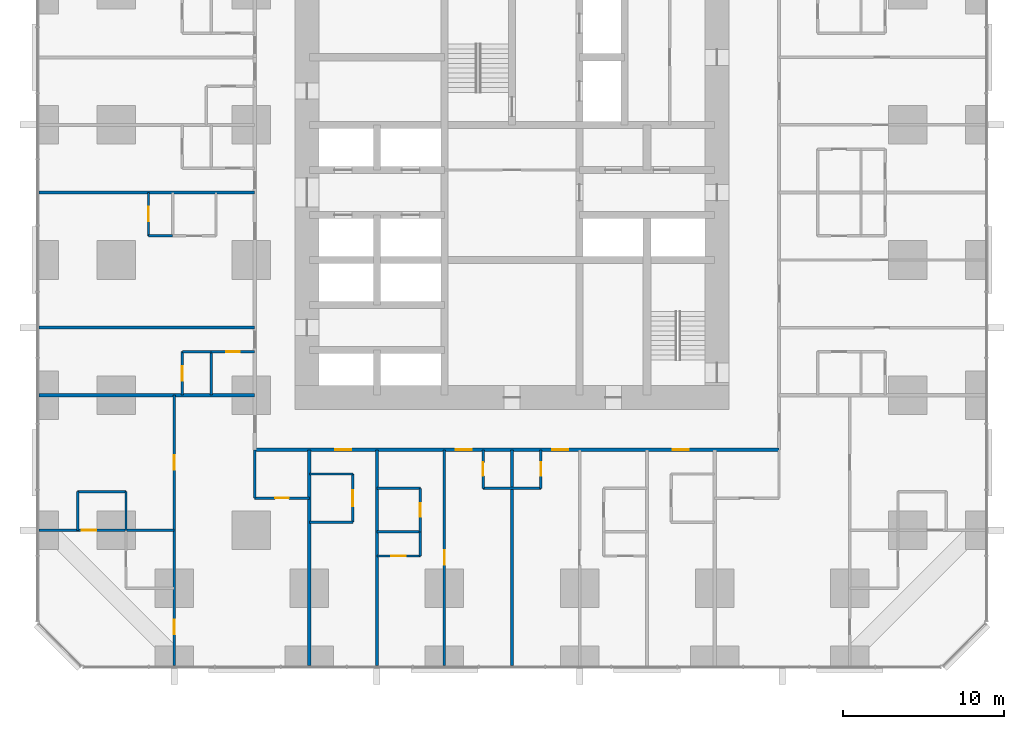
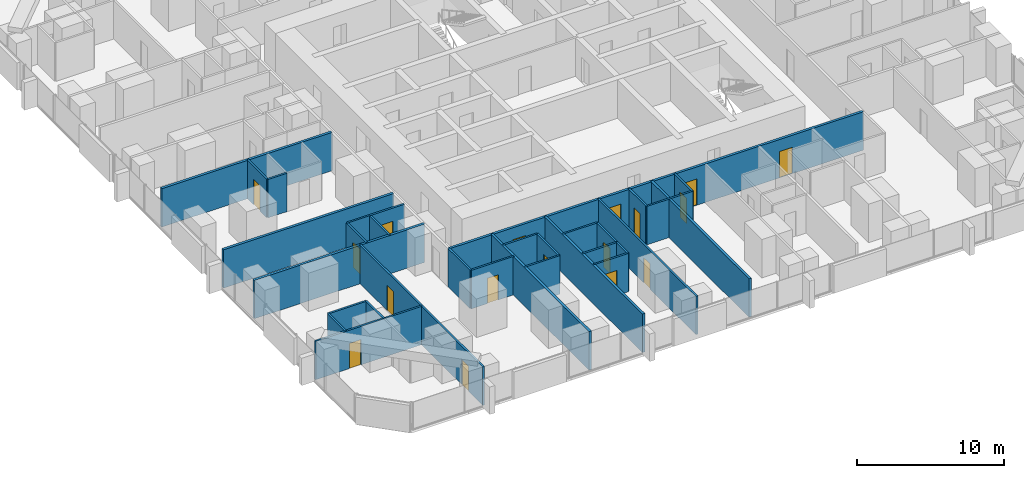
# One storey, part 10 of 16: 32 walls, 17 doors, 17 openings.
"""IFC4 building model written with IfcOpenShell, lengths in metres."""

from ifc_helpers import new_model, si_unit, direction, frame, frame_2d, origin, place, context, subcontext, project, spatial, rectangle, extrude, material, layer, layer_set, type_object, element, fill, save


model = new_model("IFC4")

# Units and contexts
model_context = context("Model", 3, precision=1e-05, world=origin(), true_north=direction((0.0, 1.0)))
body_context = subcontext(model_context, "Body", "Model", "MODEL_VIEW")
ifc_project = project(units=[si_unit("LENGTHUNIT", "METRE"), si_unit("AREAUNIT", "SQUARE_METRE"), si_unit("VOLUMEUNIT", "CUBIC_METRE"), si_unit("PLANEANGLEUNIT", "RADIAN"), si_unit("MASSUNIT", "GRAM", prefix="KILO")], contexts=[model_context])

# Site, building, storey
site_placement = place(None, origin())
site = spatial("IfcSite", under=ifc_project, at=site_placement, CompositionType="ELEMENT")
building_placement = place(site_placement, origin())
building = spatial("IfcBuilding", under=site, at=building_placement, Name="Dunama Terrace Hotel", CompositionType="ELEMENT")
storey_placement = place(building_placement, frame((0.0, 0.0, 84.60009765625)))
storey = spatial("IfcBuildingStorey", under=building, at=storey_placement, Name="L21", CompositionType="ELEMENT", Elevation=84.60009765625)

# Wall
ifc_material_1 = material(Name="Gypsum board partition", Category="masonry")
ifc_layer_1 = layer(ifc_material_1, 0.14990234375)
ifc_layer_set_1 = layer_set([ifc_layer_1], Name="Bathroom partition 150")
wall_type_1 = type_object("IfcWallType", Name="Bathroom partition 150", PredefinedType="PARTITIONING", material=ifc_layer_set_1)
wall_1_placement = place(storey_placement, frame((13.39990234375, 10.39990234375, 0.0), z_axis=(0.0, 0.0, 1.0), x_axis=(0.0, 1.0, 0.0)))
element("IfcWall", 1, at=wall_1_placement, inside=storey, type_object=wall_type_1, Name="Bathroom partition 150 L21", PredefinedType="PARTITIONING", context=body_context, shape_type="SweptSolid", body=[
    extrude(rectangle(XDim=3.0, YDim=0.14990234375, at=frame_2d((1.5, 0.0))), origin(), (0.0, 0.0, 1.0), 3.199951171875),
])

# Wall, opening, door
wall_2_placement = place(storey_placement, frame((19.5, 8.89990234375, 0.0), z_axis=(0.0, 0.0, 1.0), x_axis=(0.0, 1.0, 0.0)))
wall_2 = element("IfcWall", 2, at=wall_2_placement, inside=storey, type_object=wall_type_1, Name="Bathroom partition 150 L21", PredefinedType="PARTITIONING", context=body_context, shape_type="SweptSolid", body=[
    extrude(rectangle(XDim=3.0, YDim=0.14990234375, at=frame_2d((1.5, 0.0))), origin(), (0.0, 0.0, 1.0), 3.199951171875),
])
opening_1_placement = place(wall_2_placement, frame((1.0, 0.0, 0.0)))
opening_1 = element("IfcOpeningElement", 3, at=opening_1_placement, cuts=wall_2, Name="Opening L21-010", PredefinedType="OPENING", context=body_context, shape_type="SweptSolid", body=[
    extrude(rectangle(XDim=1.0, YDim=2.10009765625, at=frame_2d((0.5, 1.050048828125))), frame((0.0, 0.0849609375, 0.0), z_axis=(0.0, -1.0, 0.0), x_axis=(1.0, 0.0, 0.0)), (0.0, 0.0, 1.0), 0.169921875),
])
ifc_material_2 = material(Name="Timber door with steel frame", Category="steel")
door_type_1 = type_object("IfcDoorType", Name="Accessible room door 1000", OperationType="SINGLE_SWING_LEFT", PredefinedType="DOOR", material=ifc_material_2)
door_1_placement = place(opening_1_placement, origin())
door_1 = element("IfcDoor", 4, at=door_1_placement, inside=storey, type_object=door_type_1, Name="Door to accessible en-suite bathroom L21-010, type D17", OperationType="SINGLE_SWING_LEFT", OverallHeight=2.10009765625, OverallWidth=1.0, PredefinedType="DOOR", context=body_context, shape_type="SweptSolid", body=[
    extrude(rectangle(XDim=1.0, YDim=2.10009765625, at=frame_2d((0.5, 1.050048828125))), frame((0.0, 0.02490234375, 0.0), z_axis=(0.0, -1.0, 0.0), x_axis=(1.0, 0.0, 0.0)), (0.0, 0.0, 1.0), 0.050048828125),
])
fill(opening_1, door_1)

wall_3_placement = place(storey_placement, frame((23.699951171875, 8.300048828125, 0.0), z_axis=(0.0, 0.0, 1.0), x_axis=(0.0, 1.0, 0.0)))
wall_3 = element("IfcWall", 5, at=wall_3_placement, inside=storey, type_object=wall_type_1, Name="Bathroom partition 150 L21", PredefinedType="PARTITIONING", context=body_context, shape_type="SweptSolid", body=[
    extrude(rectangle(XDim=2.699951171875, YDim=0.14990234375, at=frame_2d((1.35009765625, 0.0))), origin(), (0.0, 0.0, 1.0), 3.199951171875),
])
opening_2_placement = place(wall_3_placement, frame((0.925048828125, 0.0, 0.0)))
opening_2 = element("IfcOpeningElement", 6, at=opening_2_placement, cuts=wall_3, Name="Opening L21-014", PredefinedType="OPENING", context=body_context, shape_type="SweptSolid", body=[
    extrude(rectangle(XDim=0.85009765625, YDim=2.10009765625, at=frame_2d((0.425048828125, 1.050048828125))), frame((0.0, 0.0849609375, 0.0), z_axis=(0.0, -1.0, 0.0), x_axis=(1.0, 0.0, 0.0)), (0.0, 0.0, 1.0), 0.169921875),
])
ifc_material_3 = material(Name="Timber door with steel frame", Category="steel")
door_type_2 = type_object("IfcDoorType", Name="Bathroom door 850", OperationType="SINGLE_SWING_LEFT", PredefinedType="DOOR", material=ifc_material_3)
door_2_placement = place(opening_2_placement, origin())
door_2 = element("IfcDoor", 7, at=door_2_placement, inside=storey, type_object=door_type_2, Name="Door to en-suite bathroom L21-014, type D2", OperationType="SINGLE_SWING_RIGHT", OverallHeight=2.10009765625, OverallWidth=0.85009765625, PredefinedType="DOOR", context=body_context, shape_type="SweptSolid", body=[
    extrude(rectangle(XDim=0.85009765625, YDim=2.10009765625, at=frame_2d((0.425048828125, 1.050048828125))), frame((0.0, 0.02490234375, 0.0), z_axis=(0.0, -1.0, 0.0), x_axis=(1.0, 0.0, 0.0)), (0.0, 0.0, 1.0), 0.050048828125),
])
fill(opening_2, door_2)

wall_4_placement = place(storey_placement, frame((27.60009765625, 11.0, 0.0), z_axis=(0.0, 0.0, 1.0), x_axis=(0.0, 1.0, 0.0)))
wall_4 = element("IfcWall", 8, at=wall_4_placement, inside=storey, type_object=wall_type_1, Name="Bathroom partition 150 L21", PredefinedType="PARTITIONING", context=body_context, shape_type="SweptSolid", body=[
    extrude(rectangle(XDim=2.39990234375, YDim=0.14990234375, at=frame_2d((1.199951171875, 0.0))), origin(), (0.0, 0.0, 1.0), 3.199951171875),
])
opening_3_placement = place(wall_4_placement, frame((0.77490234375, 0.0, 0.0)))
opening_3 = element("IfcOpeningElement", 9, at=opening_3_placement, cuts=wall_4, Name="Opening L21-012", PredefinedType="OPENING", context=body_context, shape_type="SweptSolid", body=[
    extrude(rectangle(XDim=0.85009765625, YDim=2.10009765625, at=frame_2d((0.425048828125, 1.050048828125))), frame((0.0, 0.0849609375, 0.0), z_axis=(0.0, -1.0, 0.0), x_axis=(1.0, 0.0, 0.0)), (0.0, 0.0, 1.0), 0.169921875),
])
door_3_placement = place(opening_3_placement, frame((0.85009765625, 0.0, 0.0), z_axis=(0.0, 0.0, 1.0), x_axis=(-1.0, 0.0, 0.0)))
door_3 = element("IfcDoor", 10, at=door_3_placement, inside=storey, type_object=door_type_2, Name="Door to powder room L21-012, type D2", OperationType="SINGLE_SWING_LEFT", OverallHeight=2.10009765625, OverallWidth=0.85009765625, PredefinedType="DOOR", context=body_context, shape_type="SweptSolid", body=[
    extrude(rectangle(XDim=0.85009765625, YDim=2.10009765625, at=frame_2d((0.425048828125, 1.050048828125))), frame((0.0, 0.025146484375, 0.0), z_axis=(0.0, -1.0, 0.0), x_axis=(1.0, 0.0, 0.0)), (0.0, 0.0, 1.0), 0.050048828125),
])
fill(opening_3, door_3)

wall_5_placement = place(storey_placement, frame((31.199951171875, 11.0, 0.0), z_axis=(0.0, 0.0, 1.0), x_axis=(0.0, 1.0, 0.0)))
wall_5 = element("IfcWall", 11, at=wall_5_placement, inside=storey, type_object=wall_type_1, Name="Bathroom partition 150 L21", PredefinedType="PARTITIONING", context=body_context, shape_type="SweptSolid", body=[
    extrude(rectangle(XDim=2.39990234375, YDim=0.14990234375, at=frame_2d((1.199951171875, 0.0))), origin(), (0.0, 0.0, 1.0), 3.199951171875),
])
opening_4_placement = place(wall_5_placement, frame((0.77490234375, 0.0, 0.0)))
opening_4 = element("IfcOpeningElement", 12, at=opening_4_placement, cuts=wall_5, Name="Opening L21-017", PredefinedType="OPENING", context=body_context, shape_type="SweptSolid", body=[
    extrude(rectangle(XDim=0.85009765625, YDim=2.10009765625, at=frame_2d((0.425048828125, 1.050048828125))), frame((0.0, 0.0849609375, 0.0), z_axis=(0.0, -1.0, 0.0), x_axis=(1.0, 0.0, 0.0)), (0.0, 0.0, 1.0), 0.169921875),
])
door_4_placement = place(opening_4_placement, origin())
door_4 = element("IfcDoor", 13, at=door_4_placement, inside=storey, type_object=door_type_2, Name="Door to powder room L21-017, type D2", OperationType="SINGLE_SWING_RIGHT", OverallHeight=2.10009765625, OverallWidth=0.85009765625, PredefinedType="DOOR", context=body_context, shape_type="SweptSolid", body=[
    extrude(rectangle(XDim=0.85009765625, YDim=2.10009765625, at=frame_2d((0.425048828125, 1.050048828125))), frame((0.0, 0.02490234375, 0.0), z_axis=(0.0, -1.0, 0.0), x_axis=(1.0, 0.0, 0.0)), (0.0, 0.0, 1.0), 0.050048828125),
])
fill(opening_4, door_4)

# Wall
wall_6_placement = place(storey_placement, frame((16.800048828125, 8.89990234375, 0.0), z_axis=(0.0, 0.0, 1.0), x_axis=(1.0, 0.0, 0.0)))
element("IfcWall", 14, at=wall_6_placement, inside=storey, type_object=wall_type_1, Name="Bathroom partition 150 L21", PredefinedType="PARTITIONING", context=body_context, shape_type="SweptSolid", body=[
    extrude(rectangle(XDim=2.699951171875, YDim=0.14990234375, at=frame_2d((1.35009765625, 0.0))), origin(), (0.0, 0.0, 1.0), 3.199951171875),
])

# Wall, opening, door
wall_7_placement = place(storey_placement, frame((13.39990234375, 10.39990234375, 0.0), z_axis=(0.0, 0.0, 1.0), x_axis=(1.0, 0.0, 0.0)))
wall_7 = element("IfcWall", 15, at=wall_7_placement, inside=storey, type_object=wall_type_1, Name="Bathroom partition 150 L21", PredefinedType="PARTITIONING", context=body_context, shape_type="SweptSolid", body=[
    extrude(rectangle(XDim=3.400146484375, YDim=0.14990234375, at=frame_2d((1.7001953125, 0.0))), origin(), (0.0, 0.0, 1.0), 3.199951171875),
])
opening_5_placement = place(wall_7_placement, frame((1.27490234375, 0.0, 0.0)))
opening_5 = element("IfcOpeningElement", 16, at=opening_5_placement, cuts=wall_7, Name="Opening L21-061", PredefinedType="OPENING", context=body_context, shape_type="SweptSolid", body=[
    extrude(rectangle(XDim=0.85009765625, YDim=2.10009765625, at=frame_2d((0.425048828125, 1.050048828125))), frame((0.0, 0.0849609375, 0.0), z_axis=(0.0, -1.0, 0.0), x_axis=(1.0, 0.0, 0.0)), (0.0, 0.0, 1.0), 0.169921875),
])
door_5_placement = place(opening_5_placement, origin())
door_5 = element("IfcDoor", 17, at=door_5_placement, inside=storey, type_object=door_type_2, Name="Door to powder room L21-061, type D2", OperationType="SINGLE_SWING_LEFT", OverallHeight=2.10009765625, OverallWidth=0.85009765625, PredefinedType="DOOR", context=body_context, shape_type="SweptSolid", body=[
    extrude(rectangle(XDim=0.85009765625, YDim=2.10009765625, at=frame_2d((0.425048828125, 1.050048828125))), frame((0.0, 0.02490234375, 0.0), z_axis=(0.0, -1.0, 0.0), x_axis=(1.0, 0.0, 0.0)), (0.0, 0.0, 1.0), 0.050048828125),
])
fill(opening_5, door_5)

# Walls
wall_8_placement = place(storey_placement, frame((21.0, 11.0, 0.0), z_axis=(0.0, 0.0, 1.0), x_axis=(1.0, 0.0, 0.0)))
element("IfcWall", 18, at=wall_8_placement, inside=storey, type_object=wall_type_1, Name="Bathroom partition 150 L21", PredefinedType="PARTITIONING", context=body_context, shape_type="SweptSolid", body=[
    extrude(rectangle(XDim=2.699951171875, YDim=0.14990234375, at=frame_2d((1.35009765625, 0.0))), origin(), (0.0, 0.0, 1.0), 3.199951171875),
])
wall_9_placement = place(storey_placement, frame((27.60009765625, 11.0, 0.0), z_axis=(0.0, 0.0, 1.0), x_axis=(1.0, 0.0, 0.0)))
element("IfcWall", 19, at=wall_9_placement, inside=storey, type_object=wall_type_1, Name="Bathroom partition 150 L21", PredefinedType="PARTITIONING", context=body_context, shape_type="SweptSolid", body=[
    extrude(rectangle(XDim=3.599853515625, YDim=0.14990234375, at=frame_2d((1.7998046875, 0.0))), origin(), (0.0, 0.0, 1.0), 3.199951171875),
])
wall_10_placement = place(storey_placement, frame((16.800048828125, 11.89990234375, 0.0), z_axis=(0.0, 0.0, 1.0), x_axis=(1.0, 0.0, 0.0)))
element("IfcWall", 20, at=wall_10_placement, inside=storey, type_object=wall_type_1, Name="Bathroom partition 150 L21", PredefinedType="PARTITIONING", context=body_context, shape_type="SweptSolid", body=[
    extrude(rectangle(XDim=2.699951171875, YDim=0.14990234375, at=frame_2d((1.35009765625, 0.0))), origin(), (0.0, 0.0, 1.0), 3.199951171875),
])

# Wall, opening, door
wall_11_placement = place(storey_placement, frame((10.699951171875, 19.5, 0.0), z_axis=(0.0, 0.0, 1.0), x_axis=(1.0, 0.0, 0.0)))
wall_11 = element("IfcWall", 21, at=wall_11_placement, inside=storey, type_object=wall_type_1, Name="Bathroom partition 150 L21", PredefinedType="PARTITIONING", context=body_context, shape_type="SweptSolid", body=[
    extrude(rectangle(XDim=2.699951171875, YDim=0.14990234375, at=frame_2d((1.35009765625, 0.0))), origin(), (0.0, 0.0, 1.0), 3.199951171875),
])
opening_6_placement = place(wall_11_placement, frame((0.925048828125, 0.0, 0.0)))
opening_6 = element("IfcOpeningElement", 22, at=opening_6_placement, cuts=wall_11, Name="Opening L21-047", PredefinedType="OPENING", context=body_context, shape_type="SweptSolid", body=[
    extrude(rectangle(XDim=0.85009765625, YDim=2.10009765625, at=frame_2d((0.425048828125, 1.050048828125))), frame((0.0, 0.0849609375, 0.0), z_axis=(0.0, -1.0, 0.0), x_axis=(1.0, 0.0, 0.0)), (0.0, 0.0, 1.0), 0.169921875),
])
door_6_placement = place(opening_6_placement, frame((0.85009765625, 0.0, 0.0), z_axis=(0.0, 0.0, 1.0), x_axis=(-1.0, 0.0, 0.0)))
door_6 = element("IfcDoor", 23, at=door_6_placement, inside=storey, type_object=door_type_2, Name="Door to en-suite bathroom L21-047, type D2", OperationType="SINGLE_SWING_LEFT", OverallHeight=2.10009765625, OverallWidth=0.85009765625, PredefinedType="DOOR", context=body_context, shape_type="SweptSolid", body=[
    extrude(rectangle(XDim=0.85009765625, YDim=2.10009765625, at=frame_2d((0.425048828125, 1.050048828125))), frame((0.0, 0.025146484375, 0.0), z_axis=(0.0, -1.0, 0.0), x_axis=(1.0, 0.0, 0.0)), (0.0, 0.0, 1.0), 0.050048828125),
])
fill(opening_6, door_6)

# Wall, openings, doors
ifc_material_4 = material(Name="Concrete blockwork", Category="masonry")
ifc_layer_2 = layer(ifc_material_4, 0.199951171875)
ifc_layer_set_2 = layer_set([ifc_layer_2], Name="Corridor partition 200")
wall_type_2 = type_object("IfcWallType", Name="Corridor partition 200", PredefinedType="PARTITIONING", material=ifc_layer_set_2)
wall_12_placement = place(storey_placement, frame((46.0, 13.39990234375, 0.0), z_axis=(0.0, 0.0, 1.0), x_axis=(-1.0, 0.0, 0.0)))
wall_12 = element("IfcWall", 24, at=wall_12_placement, inside=storey, type_object=wall_type_2, Name="Corridor partition 200 L21", PredefinedType="PARTITIONING", context=body_context, shape_type="SweptSolid", body=[
    extrude(rectangle(XDim=32.60009765625, YDim=0.199951171875, at=frame_2d((16.300048828125, 0.0))), origin(), (0.0, 0.0, 1.0), 3.199951171875),
])
opening_7_placement = place(wall_12_placement, frame((26.60009765625, 0.0, 0.0)))
opening_7 = element("IfcOpeningElement", 25, at=opening_7_placement, cuts=wall_12, Name="Opening L21-009", PredefinedType="OPENING", context=body_context, shape_type="SweptSolid", body=[
    extrude(rectangle(XDim=1.0, YDim=2.199951171875, at=frame_2d((0.5, 1.10009765625))), frame((0.0, 0.10986328125, 0.0), z_axis=(0.0, -1.0, 0.0), x_axis=(1.0, 0.0, 0.0)), (0.0, 0.0, 1.0), 0.219970703125),
])
opening_8_placement = place(wall_12_placement, frame((19.10009765625, 0.0, 0.0)))
opening_8 = element("IfcOpeningElement", 26, at=opening_8_placement, cuts=wall_12, Name="Opening L21-011", PredefinedType="OPENING", context=body_context, shape_type="SweptSolid", body=[
    extrude(rectangle(XDim=1.0, YDim=2.199951171875, at=frame_2d((0.5, 1.10009765625))), frame((0.0, 0.10986328125, 0.0), z_axis=(0.0, -1.0, 0.0), x_axis=(1.0, 0.0, 0.0)), (0.0, 0.0, 1.0), 0.219970703125),
])
opening_9_placement = place(wall_12_placement, frame((13.10009765625, 0.0, 0.0)))
opening_9 = element("IfcOpeningElement", 27, at=opening_9_placement, cuts=wall_12, Name="Opening L21-016", PredefinedType="OPENING", context=body_context, shape_type="SweptSolid", body=[
    extrude(rectangle(XDim=1.0, YDim=2.199951171875, at=frame_2d((0.5, 1.10009765625))), frame((0.0, 0.10986328125, 0.0), z_axis=(0.0, -1.0, 0.0), x_axis=(1.0, 0.0, 0.0)), (0.0, 0.0, 1.0), 0.219970703125),
])
opening_10_placement = place(wall_12_placement, frame((5.60009765625, 0.0, 0.0)))
opening_10 = element("IfcOpeningElement", 28, at=opening_10_placement, cuts=wall_12, Name="Opening L21-021", PredefinedType="OPENING", context=body_context, shape_type="SweptSolid", body=[
    extrude(rectangle(XDim=1.0, YDim=2.199951171875, at=frame_2d((0.5, 1.10009765625))), frame((0.0, 0.10986328125, 0.0), z_axis=(0.0, -1.0, 0.0), x_axis=(1.0, 0.0, 0.0)), (0.0, 0.0, 1.0), 0.219970703125),
])
ifc_material_5 = material(Name="Timber door with steel frame", Category="steel")
door_type_3 = type_object("IfcDoorType", Name="Guest room door 1000", OperationType="SINGLE_SWING_LEFT", PredefinedType="DOOR", material=ifc_material_5)
door_7_placement = place(opening_7_placement, origin())
door_7 = element("IfcDoor", 29, at=door_7_placement, inside=storey, type_object=door_type_3, Name="Door to accessible deluxe room L21-009, type D1", OperationType="SINGLE_SWING_LEFT", OverallHeight=2.199951171875, OverallWidth=1.0, PredefinedType="DOOR", context=body_context, shape_type="SweptSolid", body=[
    extrude(rectangle(XDim=1.0, YDim=2.199951171875, at=frame_2d((0.5, 1.10009765625))), frame((0.0, 0.02490234375, 0.0), z_axis=(0.0, -1.0, 0.0), x_axis=(1.0, 0.0, 0.0)), (0.0, 0.0, 1.0), 0.050048828125),
])
fill(opening_7, door_7)
door_8_placement = place(opening_8_placement, origin())
door_8 = element("IfcDoor", 30, at=door_8_placement, inside=storey, type_object=door_type_3, Name="Door to executive suite living room L21-011, type D1", OperationType="SINGLE_SWING_RIGHT", OverallHeight=2.199951171875, OverallWidth=1.0, PredefinedType="DOOR", context=body_context, shape_type="SweptSolid", body=[
    extrude(rectangle(XDim=1.0, YDim=2.199951171875, at=frame_2d((0.5, 1.10009765625))), frame((0.0, 0.02490234375, 0.0), z_axis=(0.0, -1.0, 0.0), x_axis=(1.0, 0.0, 0.0)), (0.0, 0.0, 1.0), 0.050048828125),
])
fill(opening_8, door_8)
door_9_placement = place(opening_9_placement, origin())
door_9 = element("IfcDoor", 31, at=door_9_placement, inside=storey, type_object=door_type_3, Name="Door to executive suite living room L21-016, type D1", OperationType="SINGLE_SWING_LEFT", OverallHeight=2.199951171875, OverallWidth=1.0, PredefinedType="DOOR", context=body_context, shape_type="SweptSolid", body=[
    extrude(rectangle(XDim=1.0, YDim=2.199951171875, at=frame_2d((0.5, 1.10009765625))), frame((0.0, 0.02490234375, 0.0), z_axis=(0.0, -1.0, 0.0), x_axis=(1.0, 0.0, 0.0)), (0.0, 0.0, 1.0), 0.050048828125),
])
fill(opening_9, door_9)
door_10_placement = place(opening_10_placement, origin())
door_10 = element("IfcDoor", 32, at=door_10_placement, inside=storey, type_object=door_type_3, Name="Door to accessible deluxe room L21-021, type D1", OperationType="SINGLE_SWING_LEFT", OverallHeight=2.199951171875, OverallWidth=1.0, PredefinedType="DOOR", context=body_context, shape_type="SweptSolid", body=[
    extrude(rectangle(XDim=1.0, YDim=2.199951171875, at=frame_2d((0.5, 1.10009765625))), frame((0.0, 0.02490234375, 0.0), z_axis=(0.0, -1.0, 0.0), x_axis=(1.0, 0.0, 0.0)), (0.0, 0.0, 1.0), 0.050048828125),
])
fill(opening_10, door_10)

# Walls
ifc_material_6 = material(Name="Concrete blockwork", Category="masonry")
ifc_layer_3 = layer(ifc_material_6, 0.199951171875)
ifc_layer_set_3 = layer_set([ifc_layer_3], Name="Party wall 200")
wall_type_3 = type_object("IfcWallType", Name="Party wall 200", PredefinedType="PARTITIONING", material=ifc_layer_set_3)
for number, where, z_axis, x_axis, name in (
    (33, (16.800048828125, -0.008056640625, 0.0), (0.0, 0.0, 1.0), (0.0, 1.0, 0.0), "Party wall 200 L21"),
    (34, (21.0, -0.008056640625, 0.0), (0.0, 0.0, 1.0), (0.0, 1.0, 0.0), "Party wall 200 L21"),
    (35, (29.39990234375, -0.008056640625, 0.0), (0.0, 0.0, 1.0), (0.0, 1.0, 0.0), "Party wall 200 L21"),
    (36, (-0.008056640625, 16.800048828125, 0.0), (0.0, 0.0, 1.0), (1.0, 0.0, 0.0), "Party wall 200 L21"),
    (37, (-0.008056640625, 21.0, 0.0), (0.0, 0.0, 1.0), (1.0, 0.0, 0.0), "Party wall 200 L21"),
    (38, (-0.008056640625, 29.39990234375, 0.0), (0.0, 0.0, 1.0), (1.0, 0.0, 0.0), "Party wall 200 L21"),
):
    element("IfcWall", number, at=place(storey_placement, frame(where, z_axis=z_axis, x_axis=x_axis)), inside=storey, type_object=wall_type_3, Name=name, PredefinedType="PARTITIONING", context=body_context, shape_type="SweptSolid", body=[
        extrude(rectangle(XDim=13.407958984375, YDim=0.199951171875, at=frame_2d((6.7041015625, 0.0))), origin(), (0.0, 0.0, 1.0), 3.199951171875),
    ])
ifc_material_7 = material(Name="Gypsum board partition", Category="masonry")
ifc_layer_4 = layer(ifc_material_7, 0.14990234375)
ifc_layer_set_4 = layer_set([ifc_layer_4], Name="Room partition 150")
wall_type_4 = type_object("IfcWallType", Name="Room partition 150", PredefinedType="PARTITIONING", material=ifc_layer_set_4)
for number, where, z_axis, x_axis, name in (
    (39, (2.39990234375, 8.39990234375, 0.0), (0.0, 0.0, 1.0), (0.0, 1.0, 0.0), "Room partition 150 L21"),
    (40, (5.39990234375, 8.39990234375, 0.0), (0.0, 0.0, 1.0), (0.0, 1.0, 0.0), "Room partition 150 L21"),
):
    element("IfcWall", number, at=place(storey_placement, frame(where, z_axis=z_axis, x_axis=x_axis)), inside=storey, type_object=wall_type_4, Name=name, PredefinedType="PARTITIONING", context=body_context, shape_type="SweptSolid", body=[
        extrude(rectangle(XDim=2.400146484375, YDim=0.14990234375, at=frame_2d((1.2001953125, 0.0))), origin(), (0.0, 0.0, 1.0), 3.199951171875),
    ])

# Wall, opening, door
wall_13_placement = place(storey_placement, frame((6.800048828125, 26.699951171875, 0.0), z_axis=(0.0, 0.0, 1.0), x_axis=(0.0, 1.0, 0.0)))
wall_13 = element("IfcWall", 41, at=wall_13_placement, inside=storey, type_object=wall_type_4, Name="Room partition 150 L21", PredefinedType="PARTITIONING", context=body_context, shape_type="SweptSolid", body=[
    extrude(rectangle(XDim=2.699951171875, YDim=0.14990234375, at=frame_2d((1.35009765625, 0.0))), origin(), (0.0, 0.0, 1.0), 3.199951171875),
])
opening_11_placement = place(wall_13_placement, frame((0.89990234375, 0.0, 0.0)))
opening_11 = element("IfcOpeningElement", 42, at=opening_11_placement, cuts=wall_13, Name="Opening L21-051", PredefinedType="OPENING", context=body_context, shape_type="SweptSolid", body=[
    extrude(rectangle(XDim=0.89990234375, YDim=2.10009765625, at=frame_2d((0.449951171875, 1.050048828125))), frame((0.0, 0.0849609375, 0.0), z_axis=(0.0, -1.0, 0.0), x_axis=(1.0, 0.0, 0.0)), (0.0, 0.0, 1.0), 0.169921875),
])
ifc_material_8 = material(Name="Timber door with steel frame", Category="steel")
door_type_4 = type_object("IfcDoorType", Name="Suite internal door 900", OperationType="SINGLE_SWING_LEFT", PredefinedType="DOOR", material=ifc_material_8)
door_11_placement = place(opening_11_placement, frame((0.89990234375, 0.0, 0.0), z_axis=(0.0, 0.0, 1.0), x_axis=(-1.0, 0.0, 0.0)))
door_11 = element("IfcDoor", 43, at=door_11_placement, inside=storey, type_object=door_type_4, Name="Door to walk-in wardrobe L21-051, type D16", OperationType="SINGLE_SWING_RIGHT", OverallHeight=2.10009765625, OverallWidth=0.89990234375, PredefinedType="DOOR", context=body_context, shape_type="SweptSolid", body=[
    extrude(rectangle(XDim=0.89990234375, YDim=2.10009765625, at=frame_2d((0.449951171875, 1.050048828125))), frame((0.0, 0.025146484375, 0.0), z_axis=(0.0, -1.0, 0.0), x_axis=(1.0, 0.0, 0.0)), (0.0, 0.0, 1.0), 0.050048828125),
])
fill(opening_11, door_11)

# Wall, openings, doors
wall_14_placement = place(storey_placement, frame((8.39990234375, -0.008056640625, 0.0), z_axis=(0.0, 0.0, 1.0), x_axis=(0.0, 1.0, 0.0)))
wall_14 = element("IfcWall", 44, at=wall_14_placement, inside=storey, type_object=wall_type_4, Name="Room partition 150 L21", PredefinedType="PARTITIONING", context=body_context, shape_type="SweptSolid", body=[
    extrude(rectangle(XDim=16.80810546875, YDim=0.14990234375, at=frame_2d((8.404052734375, 0.0))), origin(), (0.0, 0.0, 1.0), 3.199951171875),
])
opening_12_placement = place(wall_14_placement, frame((1.9580078125, 0.0, 0.0)))
opening_12 = element("IfcOpeningElement", 45, at=opening_12_placement, cuts=wall_14, Name="Opening L21-062", PredefinedType="OPENING", context=body_context, shape_type="SweptSolid", body=[
    extrude(rectangle(XDim=0.89990234375, YDim=2.10009765625, at=frame_2d((0.449951171875, 1.050048828125))), frame((0.0, 0.0849609375, 0.0), z_axis=(0.0, -1.0, 0.0), x_axis=(1.0, 0.0, 0.0)), (0.0, 0.0, 1.0), 0.169921875),
])
opening_13_placement = place(wall_14_placement, frame((12.157958984375, 0.0, 0.0)))
opening_13 = element("IfcOpeningElement", 46, at=opening_13_placement, cuts=wall_14, Name="Opening L21-065", PredefinedType="OPENING", context=body_context, shape_type="SweptSolid", body=[
    extrude(rectangle(XDim=0.89990234375, YDim=2.10009765625, at=frame_2d((0.449951171875, 1.050048828125))), frame((0.0, 0.0849609375, 0.0), z_axis=(0.0, -1.0, 0.0), x_axis=(1.0, 0.0, 0.0)), (0.0, 0.0, 1.0), 0.169921875),
])
door_12_placement = place(opening_12_placement, origin())
door_12 = element("IfcDoor", 47, at=door_12_placement, inside=storey, type_object=door_type_4, Name="Door to corner suite bedroom L21-062, type D16", OperationType="SINGLE_SWING_LEFT", OverallHeight=2.10009765625, OverallWidth=0.89990234375, PredefinedType="DOOR", context=body_context, shape_type="SweptSolid", body=[
    extrude(rectangle(XDim=0.89990234375, YDim=2.10009765625, at=frame_2d((0.449951171875, 1.050048828125))), frame((0.0, 0.02490234375, 0.0), z_axis=(0.0, -1.0, 0.0), x_axis=(1.0, 0.0, 0.0)), (0.0, 0.0, 1.0), 0.050048828125),
])
fill(opening_12, door_12)
door_13_placement = place(opening_13_placement, origin())
door_13 = element("IfcDoor", 48, at=door_13_placement, inside=storey, type_object=door_type_4, Name="Door to corner suite study L21-065, type D16", OperationType="SINGLE_SWING_LEFT", OverallHeight=2.10009765625, OverallWidth=0.89990234375, PredefinedType="DOOR", context=body_context, shape_type="SweptSolid", body=[
    extrude(rectangle(XDim=0.89990234375, YDim=2.10009765625, at=frame_2d((0.449951171875, 1.050048828125))), frame((0.0, 0.02490234375, 0.0), z_axis=(0.0, -1.0, 0.0), x_axis=(1.0, 0.0, 0.0)), (0.0, 0.0, 1.0), 0.050048828125),
])
fill(opening_13, door_13)

# Wall, opening, door
wall_15_placement = place(storey_placement, frame((8.89990234375, 16.800048828125, 0.0), z_axis=(0.0, 0.0, 1.0), x_axis=(0.0, 1.0, 0.0)))
wall_15 = element("IfcWall", 49, at=wall_15_placement, inside=storey, type_object=wall_type_4, Name="Room partition 150 L21", PredefinedType="PARTITIONING", context=body_context, shape_type="SweptSolid", body=[
    extrude(rectangle(XDim=2.699951171875, YDim=0.14990234375, at=frame_2d((1.35009765625, 0.0))), origin(), (0.0, 0.0, 1.0), 3.199951171875),
])
opening_14_placement = place(wall_15_placement, frame((0.89990234375, 0.0, 0.0)))
opening_14 = element("IfcOpeningElement", 50, at=opening_14_placement, cuts=wall_15, Name="Opening L21-048", PredefinedType="OPENING", context=body_context, shape_type="SweptSolid", body=[
    extrude(rectangle(XDim=0.89990234375, YDim=2.10009765625, at=frame_2d((0.449951171875, 1.050048828125))), frame((0.0, 0.0849609375, 0.0), z_axis=(0.0, -1.0, 0.0), x_axis=(1.0, 0.0, 0.0)), (0.0, 0.0, 1.0), 0.169921875),
])
door_14_placement = place(opening_14_placement, frame((0.89990234375, 0.0, 0.0), z_axis=(0.0, 0.0, 1.0), x_axis=(-1.0, 0.0, 0.0)))
door_14 = element("IfcDoor", 51, at=door_14_placement, inside=storey, type_object=door_type_4, Name="Door to walk-in wardrobe L21-048, type D16", OperationType="SINGLE_SWING_RIGHT", OverallHeight=2.10009765625, OverallWidth=0.89990234375, PredefinedType="DOOR", context=body_context, shape_type="SweptSolid", body=[
    extrude(rectangle(XDim=0.89990234375, YDim=2.10009765625, at=frame_2d((0.449951171875, 1.050048828125))), frame((0.0, 0.025146484375, 0.0), z_axis=(0.0, -1.0, 0.0), x_axis=(1.0, 0.0, 0.0)), (0.0, 0.0, 1.0), 0.050048828125),
])
fill(opening_14, door_14)

# Walls
wall_16_placement = place(storey_placement, frame((10.699951171875, 16.800048828125, 0.0), z_axis=(0.0, 0.0, 1.0), x_axis=(0.0, 1.0, 0.0)))
element("IfcWall", 52, at=wall_16_placement, inside=storey, type_object=wall_type_4, Name="Room partition 150 L21", PredefinedType="PARTITIONING", context=body_context, shape_type="SweptSolid", body=[
    extrude(rectangle(XDim=2.699951171875, YDim=0.14990234375, at=frame_2d((1.35009765625, 0.0))), origin(), (0.0, 0.0, 1.0), 3.199951171875),
])
wall_17_placement = place(storey_placement, frame((23.699951171875, 6.800048828125, 0.0), z_axis=(0.0, 0.0, 1.0), x_axis=(0.0, 1.0, 0.0)))
element("IfcWall", 53, at=wall_17_placement, inside=storey, type_object=wall_type_4, Name="Room partition 150 L21", PredefinedType="PARTITIONING", context=body_context, shape_type="SweptSolid", body=[
    extrude(rectangle(XDim=1.5, YDim=0.14990234375, at=frame_2d((0.75, 0.0))), origin(), (0.0, 0.0, 1.0), 3.199951171875),
])

# Wall, opening, door
wall_18_placement = place(storey_placement, frame((25.199951171875, -0.008056640625, 0.0), z_axis=(0.0, 0.0, 1.0), x_axis=(0.0, 1.0, 0.0)))
wall_18 = element("IfcWall", 54, at=wall_18_placement, inside=storey, type_object=wall_type_4, Name="Room partition 150 L21", PredefinedType="PARTITIONING", context=body_context, shape_type="SweptSolid", body=[
    extrude(rectangle(XDim=13.407958984375, YDim=0.14990234375, at=frame_2d((6.7041015625, 0.0))), origin(), (0.0, 0.0, 1.0), 3.199951171875),
])
opening_15_placement = place(wall_18_placement, frame((6.258056640625, 0.0, 0.0)))
opening_15 = element("IfcOpeningElement", 55, at=opening_15_placement, cuts=wall_18, Name="Opening L21-013", PredefinedType="OPENING", context=body_context, shape_type="SweptSolid", body=[
    extrude(rectangle(XDim=0.89990234375, YDim=2.10009765625, at=frame_2d((0.449951171875, 1.050048828125))), frame((0.0, 0.0849609375, 0.0), z_axis=(0.0, -1.0, 0.0), x_axis=(1.0, 0.0, 0.0)), (0.0, 0.0, 1.0), 0.169921875),
])
door_15_placement = place(opening_15_placement, origin())
door_15 = element("IfcDoor", 56, at=door_15_placement, inside=storey, type_object=door_type_4, Name="Door to executive suite bedroom L21-013, type D16", OperationType="SINGLE_SWING_LEFT", OverallHeight=2.10009765625, OverallWidth=0.89990234375, PredefinedType="DOOR", context=body_context, shape_type="SweptSolid", body=[
    extrude(rectangle(XDim=0.89990234375, YDim=2.10009765625, at=frame_2d((0.449951171875, 1.050048828125))), frame((0.0, 0.02490234375, 0.0), z_axis=(0.0, -1.0, 0.0), x_axis=(1.0, 0.0, 0.0)), (0.0, 0.0, 1.0), 0.050048828125),
])
fill(opening_15, door_15)

wall_19_placement = place(storey_placement, frame((21.0, 6.800048828125, 0.0), z_axis=(0.0, 0.0, 1.0), x_axis=(1.0, 0.0, 0.0)))
wall_19 = element("IfcWall", 57, at=wall_19_placement, inside=storey, type_object=wall_type_4, Name="Room partition 150 L21", PredefinedType="PARTITIONING", context=body_context, shape_type="SweptSolid", body=[
    extrude(rectangle(XDim=2.699951171875, YDim=0.14990234375, at=frame_2d((1.35009765625, 0.0))), origin(), (0.0, 0.0, 1.0), 3.199951171875),
])
opening_16_placement = place(wall_19_placement, frame((0.89990234375, 0.0, 0.0)))
opening_16 = element("IfcOpeningElement", 58, at=opening_16_placement, cuts=wall_19, Name="Opening L21-015", PredefinedType="OPENING", context=body_context, shape_type="SweptSolid", body=[
    extrude(rectangle(XDim=0.89990234375, YDim=2.10009765625, at=frame_2d((0.449951171875, 1.050048828125))), frame((0.0, 0.0849609375, 0.0), z_axis=(0.0, -1.0, 0.0), x_axis=(1.0, 0.0, 0.0)), (0.0, 0.0, 1.0), 0.169921875),
])
door_16_placement = place(opening_16_placement, origin())
door_16 = element("IfcDoor", 59, at=door_16_placement, inside=storey, type_object=door_type_4, Name="Door to walk-in wardrobe L21-015, type D16", OperationType="SINGLE_SWING_LEFT", OverallHeight=2.10009765625, OverallWidth=0.89990234375, PredefinedType="DOOR", context=body_context, shape_type="SweptSolid", body=[
    extrude(rectangle(XDim=0.89990234375, YDim=2.10009765625, at=frame_2d((0.449951171875, 1.050048828125))), frame((0.0, 0.02490234375, 0.0), z_axis=(0.0, -1.0, 0.0), x_axis=(1.0, 0.0, 0.0)), (0.0, 0.0, 1.0), 0.050048828125),
])
fill(opening_16, door_16)

# Wall
wall_20_placement = place(storey_placement, frame((21.0, 8.300048828125, 0.0), z_axis=(0.0, 0.0, 1.0), x_axis=(1.0, 0.0, 0.0)))
element("IfcWall", 60, at=wall_20_placement, inside=storey, type_object=wall_type_4, Name="Room partition 150 L21", PredefinedType="PARTITIONING", context=body_context, shape_type="SweptSolid", body=[
    extrude(rectangle(XDim=2.699951171875, YDim=0.14990234375, at=frame_2d((1.35009765625, 0.0))), origin(), (0.0, 0.0, 1.0), 3.199951171875),
])

# Wall, opening, door
wall_21_placement = place(storey_placement, frame((-0.008056640625, 8.39990234375, 0.0), z_axis=(0.0, 0.0, 1.0), x_axis=(1.0, 0.0, 0.0)))
wall_21 = element("IfcWall", 61, at=wall_21_placement, inside=storey, type_object=wall_type_4, Name="Room partition 150 L21", PredefinedType="PARTITIONING", context=body_context, shape_type="SweptSolid", body=[
    extrude(rectangle(XDim=8.407958984375, YDim=0.14990234375, at=frame_2d((4.2041015625, 0.0))), origin(), (0.0, 0.0, 1.0), 3.199951171875),
])
opening_17_placement = place(wall_21_placement, frame((2.657958984375, 0.0, 0.0)))
opening_17 = element("IfcOpeningElement", 62, at=opening_17_placement, cuts=wall_21, Name="Opening L21-064", PredefinedType="OPENING", context=body_context, shape_type="SweptSolid", body=[
    extrude(rectangle(XDim=0.89990234375, YDim=2.10009765625, at=frame_2d((0.449951171875, 1.050048828125))), frame((0.0, 0.0849609375, 0.0), z_axis=(0.0, -1.0, 0.0), x_axis=(1.0, 0.0, 0.0)), (0.0, 0.0, 1.0), 0.169921875),
])
door_17_placement = place(opening_17_placement, origin())
door_17 = element("IfcDoor", 63, at=door_17_placement, inside=storey, type_object=door_type_4, Name="Door to dressing room L21-064, type D16", OperationType="SINGLE_SWING_RIGHT", OverallHeight=2.10009765625, OverallWidth=0.89990234375, PredefinedType="DOOR", context=body_context, shape_type="SweptSolid", body=[
    extrude(rectangle(XDim=0.89990234375, YDim=2.10009765625, at=frame_2d((0.449951171875, 1.050048828125))), frame((0.0, 0.02490234375, 0.0), z_axis=(0.0, -1.0, 0.0), x_axis=(1.0, 0.0, 0.0)), (0.0, 0.0, 1.0), 0.050048828125),
])
fill(opening_17, door_17)

# Walls
wall_22_placement = place(storey_placement, frame((2.39990234375, 10.800048828125, 0.0), z_axis=(0.0, 0.0, 1.0), x_axis=(1.0, 0.0, 0.0)))
element("IfcWall", 64, at=wall_22_placement, inside=storey, type_object=wall_type_4, Name="Room partition 150 L21", PredefinedType="PARTITIONING", context=body_context, shape_type="SweptSolid", body=[
    extrude(rectangle(XDim=3.0, YDim=0.14990234375, at=frame_2d((1.5, 0.0))), origin(), (0.0, 0.0, 1.0), 3.199951171875),
])
wall_23_placement = place(storey_placement, frame((8.89990234375, 19.5, 0.0), z_axis=(0.0, 0.0, 1.0), x_axis=(1.0, 0.0, 0.0)))
element("IfcWall", 65, at=wall_23_placement, inside=storey, type_object=wall_type_4, Name="Room partition 150 L21", PredefinedType="PARTITIONING", context=body_context, shape_type="SweptSolid", body=[
    extrude(rectangle(XDim=1.800048828125, YDim=0.14990234375, at=frame_2d((0.89990234375, 0.0))), origin(), (0.0, 0.0, 1.0), 3.199951171875),
])
wall_24_placement = place(storey_placement, frame((6.800048828125, 26.699951171875, 0.0), z_axis=(0.0, 0.0, 1.0), x_axis=(1.0, 0.0, 0.0)))
element("IfcWall", 66, at=wall_24_placement, inside=storey, type_object=wall_type_4, Name="Room partition 150 L21", PredefinedType="PARTITIONING", context=body_context, shape_type="SweptSolid", body=[
    extrude(rectangle(XDim=1.5, YDim=0.14990234375, at=frame_2d((0.75, 0.0))), origin(), (0.0, 0.0, 1.0), 3.199951171875),
])

save(model, "model.ifc")
